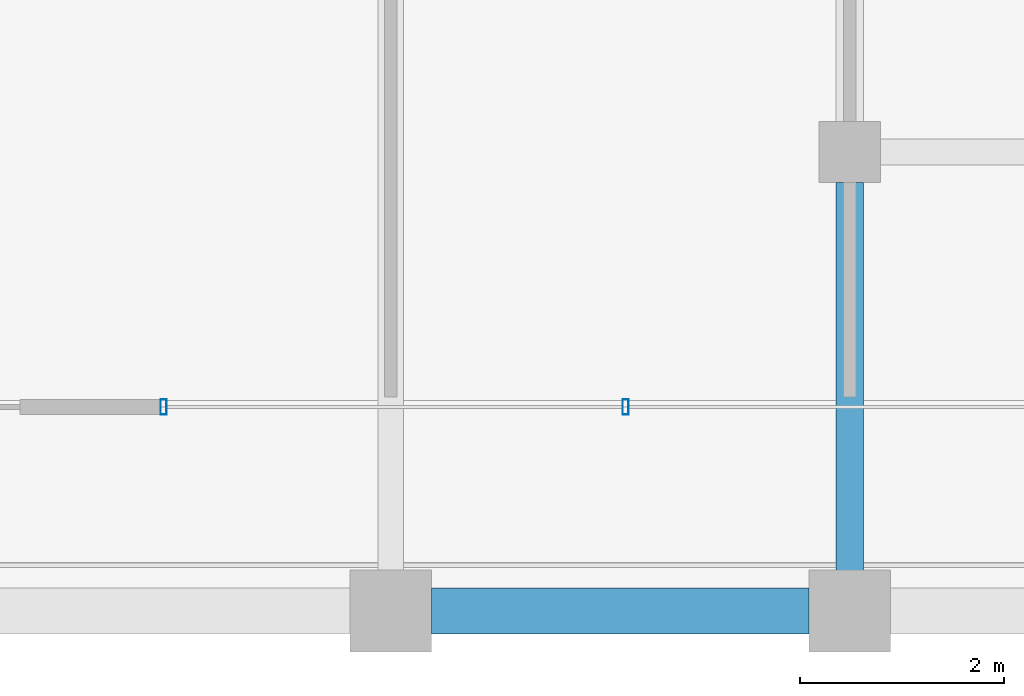
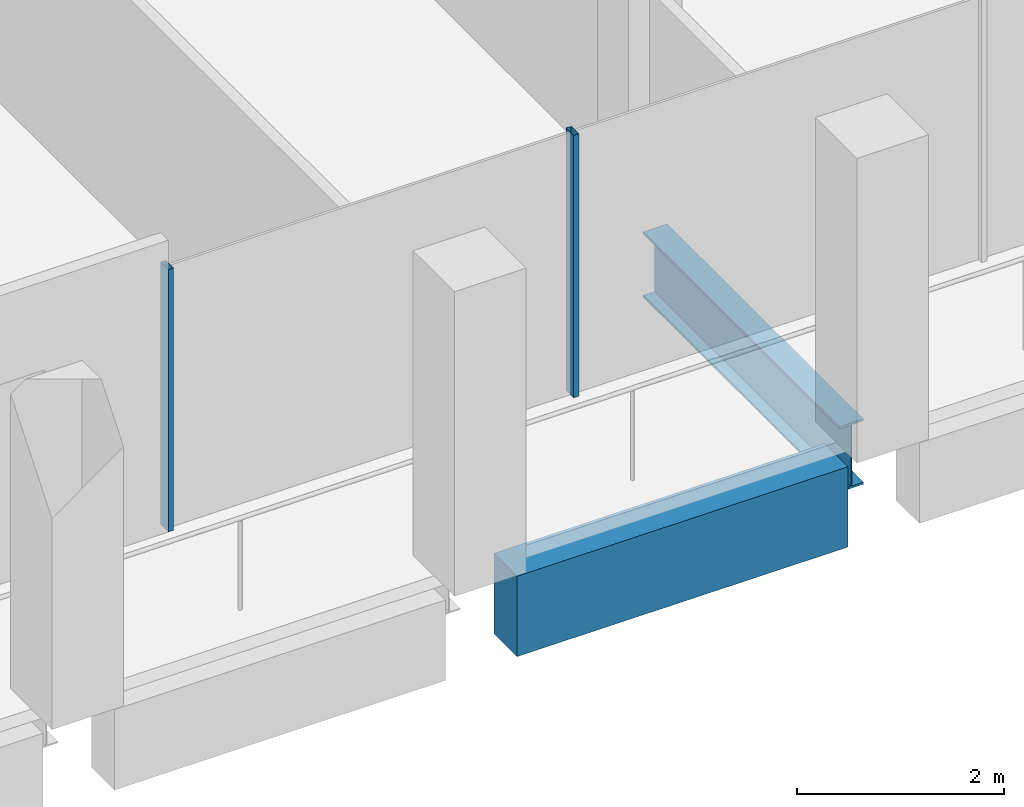
# One storey, part 9 of 40: 2 beams, 2 members, 1 element without a shape of its own.
"""IFC4 building model written with IfcOpenShell, lengths in metres."""

from ifc_helpers import new_model, si_unit, direction, frame, origin, origin_2d, place, context, subcontext, project, spatial, rectangle, hollow_rectangle, i_section, extrude, material, material_profile, profile_set, type_object, element, aggregate, save


model = new_model("IFC4")

# Units and contexts
model_context = context("Model", 3, precision=1e-05, world=origin(), true_north=direction((0.0, 1.0)))
body_context = subcontext(model_context, "Body", "Model", "MODEL_VIEW")
ifc_project = project(units=[si_unit("LENGTHUNIT", "METRE"), si_unit("AREAUNIT", "SQUARE_METRE"), si_unit("VOLUMEUNIT", "CUBIC_METRE"), si_unit("PLANEANGLEUNIT", "RADIAN"), si_unit("MASSUNIT", "GRAM", prefix="KILO")], contexts=[model_context])

# Site, building, storey
site_placement = place(None, origin())
site = spatial("IfcSite", under=ifc_project, at=site_placement, CompositionType="ELEMENT")
building_placement = place(site_placement, origin())
building = spatial("IfcBuilding", under=site, at=building_placement, Name="Altepetl Exchange Towers", CompositionType="ELEMENT")
storey_placement = place(building_placement, frame((0.0, 0.0, 199.199951171875)))
storey = spatial("IfcBuildingStorey", under=building, at=storey_placement, Name="L50", CompositionType="ELEMENT", Elevation=199.199951171875)

# Beam
ifc_material_1 = material(Name="Steel S355", Category="steel")
ifc_material_profile_1 = material_profile(ifc_material_1, i_section(OverallWidth=0.26806640625, OverallDepth=0.77392578125, WebThickness=0.015380859375, FlangeThickness=0.025390625, at=origin_2d()), Name="W30X132")
ifc_profile_set_1 = profile_set([ifc_material_profile_1], Name="Steel S355")
beam_type_1 = type_object("IfcBeamType", Name="Girder W30X132", PredefinedType="BEAM", material=ifc_profile_set_1)
beam_1_placement = place(storey_placement, frame((58.5, 31.199951171875, -0.536865234375), z_axis=(0.0, -1.0, 0.0), x_axis=(1.0, 0.0, 0.0)))
element("IfcBeam", 1, at=beam_1_placement, inside=storey, type_object=beam_type_1, Name="gd:A:L50:005", PredefinedType="BEAM", context=body_context, shape_type="SweptSolid", body=[
    extrude(i_section(OverallWidth=0.26806640625, OverallDepth=0.77392578125, WebThickness=0.015380859375, FlangeThickness=0.025390625, at=origin_2d()), origin(), (0.0, 0.0, 1.0), 3.800048828125),
])

# Curtain wall, members
ifc_material_2 = material(Name="Aluminium 6063-T6 glazing", Category="aluminium")
curtain_wall_type = type_object("IfcCurtainWallType", Name="Loggia glazing system", PredefinedType="NOTDEFINED", material=ifc_material_2)
curtain_wall_placement = place(storey_placement, origin())
curtain_wall = element("IfcCurtainWall", 2, at=curtain_wall_placement, inside=storey, type_object=curtain_wall_type, Name="CW1 run", PredefinedType="NOTDEFINED")
ifc_material_3 = material(Name="Aluminium 6063-T6", Category="aluminium")
ifc_material_profile_2 = material_profile(ifc_material_3, hollow_rectangle(XDim=0.06005859375, YDim=0.14990234375, WallThickness=0.0029296875, at=origin_2d()), Name="Mullion 60x150 aluminium")
ifc_profile_set_2 = profile_set([ifc_material_profile_2], Name="Aluminium 6063-T6")
member_type = type_object("IfcMemberType", Name="Mullion 60x150 aluminium", PredefinedType="MULLION", material=ifc_profile_set_2)
member_1_placement = place(storey_placement, frame((51.77294921875, 29.0, 0.0)))
member_1 = element("IfcMember", 3, at=member_1_placement, type_object=member_type, Name="MU1 mullion", PredefinedType="MULLION", context=body_context, shape_type="SweptSolid", body=[
    extrude(hollow_rectangle(XDim=0.06005859375, YDim=0.14990234375, WallThickness=0.0029296875, at=origin_2d()), origin(), (0.0, 0.0, 1.0), 3.10009765625),
])
member_2_placement = place(storey_placement, frame((56.303466796875, 29.0, 0.0)))
member_2 = element("IfcMember", 4, at=member_2_placement, type_object=member_type, Name="MU1 mullion", PredefinedType="MULLION", context=body_context, shape_type="SweptSolid", body=[
    extrude(hollow_rectangle(XDim=0.06005859375, YDim=0.14990234375, WallThickness=0.0029296875, at=origin_2d()), origin(), (0.0, 0.0, 1.0), 3.10009765625),
])
aggregate(curtain_wall, [member_1, member_2])

# Beam
ifc_material_4 = material(Name="Concrete C50/60 precast with cantera blanca facing", Category="concrete")
ifc_material_profile_3 = material_profile(ifc_material_4, rectangle(XDim=0.449951171875, YDim=0.949951171875, at=origin_2d()), Name="450 x 950")
ifc_profile_set_3 = profile_set([ifc_material_profile_3], Name="Concrete C50/60 precast with cantera blanca facing")
beam_type_2 = type_object("IfcBeamType", Name="Spandrel beam 450x950 cantera blanca", PredefinedType="SPANDREL", material=ifc_profile_set_3)
beam_2_placement = place(storey_placement, frame((54.39990234375, 27.0, -0.625), z_axis=(1.0, 0.0, 0.0), x_axis=(0.0, 1.0, 0.0)))
element("IfcBeam", 5, at=beam_2_placement, inside=storey, type_object=beam_type_2, Name="sp:A:L50:005", PredefinedType="SPANDREL", context=body_context, shape_type="SweptSolid", body=[
    extrude(rectangle(XDim=0.449951171875, YDim=0.949951171875, at=origin_2d()), origin(), (0.0, 0.0, 1.0), 3.7001953125),
])

save(model, "model.ifc")
